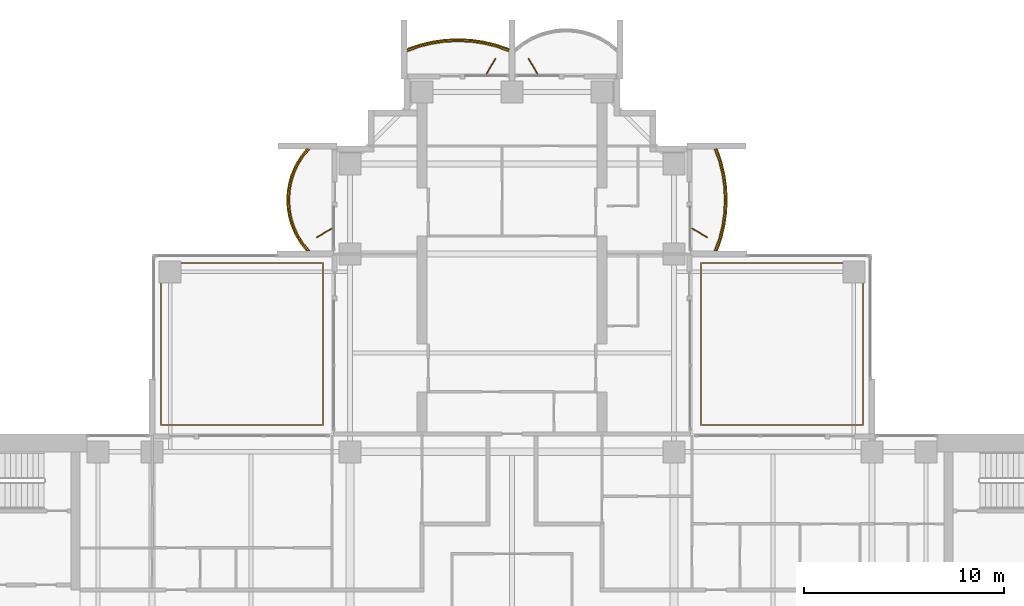
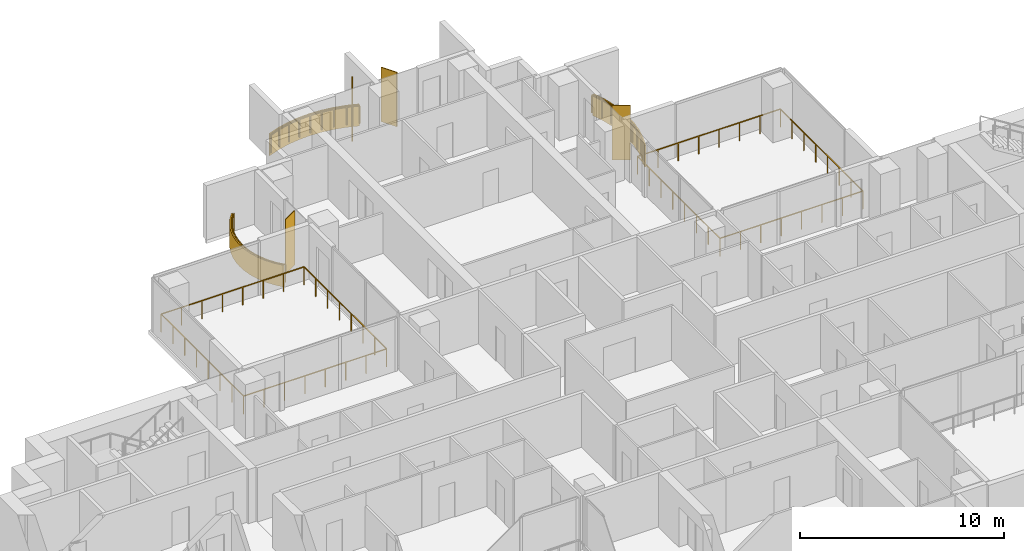
# One storey, part 18 of 19: 5 railings, 4 shading devices, 3 coverings.
"""IFC4 building model written with IfcOpenShell, lengths in metres."""

from ifc_helpers import new_model, si_unit, direction, frame, origin, origin_2d, place, context, subcontext, project, spatial, polyline, rectangle, outline, extrude, material, layer, layer_set, type_object, element, save


model = new_model("IFC4")

# Units and contexts
model_context = context("Model", 3, precision=1e-05, world=origin(), true_north=direction((0.0, 1.0)))
body_context = subcontext(model_context, "Body", "Model", "MODEL_VIEW")
ifc_project = project(units=[si_unit("LENGTHUNIT", "METRE"), si_unit("AREAUNIT", "SQUARE_METRE"), si_unit("VOLUMEUNIT", "CUBIC_METRE"), si_unit("PLANEANGLEUNIT", "RADIAN"), si_unit("MASSUNIT", "GRAM", prefix="KILO")], contexts=[model_context])

# Site, building, storey
site_placement = place(None, origin())
site = spatial("IfcSite", under=ifc_project, at=site_placement, CompositionType="ELEMENT")
building_placement = place(site_placement, origin())
building = spatial("IfcBuilding", under=site, at=building_placement, Name="Perihelion Cross Residences", CompositionType="ELEMENT")
storey_placement = place(building_placement, frame((0.0, 0.0, 112.89990234375)))
storey = spatial("IfcBuildingStorey", under=building, at=storey_placement, Name="L26", CompositionType="ELEMENT", Elevation=112.89990234375)

# Coverings
ifc_material_1 = material(Name="Bronze anodised aluminium", Category="aluminium")
ifc_layer_1 = layer(ifc_material_1, 0.070068359375)
ifc_layer_set_1 = layer_set([ifc_layer_1], Name="Balcony fascia 1300")
covering_type = type_object("IfcCoveringType", Name="Balcony fascia 1300", PredefinedType="CLADDING", material=ifc_layer_set_1)
covering_1_placement = place(storey_placement, frame((0.0, 0.0, -0.199951171875)))
element("IfcCovering", 1, at=covering_1_placement, inside=storey, type_object=covering_type, Name="Fascia BF1 L26 north side east bay 2", PredefinedType="CLADDING", context=body_context, shape_type="SweptSolid", body=[
    extrude(outline(polyline([(10.49072265625, 18.767578125), (10.647216796875, 19.411865234375), (10.739501953125, 20.055908203125), (10.77001953125, 20.699951171875), (10.739501953125, 21.34423828125), (10.647216796875, 21.98828125), (10.49072265625, 22.63232421875), (10.274169921875, 23.25), (10.199951171875, 23.25), (10.423583984375, 22.612548828125), (10.57861328125, 21.97509765625), (10.669921875, 21.33740234375), (10.699951171875, 20.699951171875), (10.669921875, 20.0625), (10.57861328125, 19.425048828125), (10.423583984375, 18.78759765625), (10.199951171875, 18.14990234375), (10.274169921875, 18.14990234375), (10.49072265625, 18.767578125)])), origin(), (0.0, 0.0, 1.0), 1.300048828125),
])
covering_2_placement = place(storey_placement, frame((0.0, 0.0, -0.199951171875)))
element("IfcCovering", 2, at=covering_2_placement, inside=storey, type_object=covering_type, Name="Fascia BF1 L26 north tip north bay 2", PredefinedType="CLADDING", context=body_context, shape_type="SweptSolid", body=[
    extrude(outline(polyline([(-0.767578125, 28.49072265625), (-1.411865234375, 28.647216796875), (-2.055908203125, 28.739501953125), (-2.699951171875, 28.77001953125), (-3.34423828125, 28.739501953125), (-3.98828125, 28.647216796875), (-4.63232421875, 28.49072265625), (-5.25, 28.274169921875), (-5.25, 28.199951171875), (-4.612548828125, 28.423583984375), (-3.97509765625, 28.57861328125), (-3.33740234375, 28.669921875), (-2.699951171875, 28.699951171875), (-2.0625, 28.669921875), (-1.425048828125, 28.57861328125), (-0.78759765625, 28.423583984375), (-0.14990234375, 28.199951171875), (-0.14990234375, 28.274169921875), (-0.767578125, 28.49072265625)])), origin(), (0.0, 0.0, 1.0), 1.300048828125),
])
covering_3_placement = place(storey_placement, frame((0.0, 0.0, -0.199951171875)))
element("IfcCovering", 3, at=covering_3_placement, inside=storey, type_object=covering_type, Name="Fascia BF1 L26 north side west bay 1", PredefinedType="CLADDING", context=body_context, shape_type="SweptSolid", body=[
    extrude(outline(polyline([(-10.59765625, 22.86474609375), (-10.85498046875, 22.431884765625), (-11.04248046875, 21.998779296875), (-11.170654296875, 21.56591796875), (-11.245361328125, 21.133056640625), (-11.27001953125, 20.699951171875), (-11.245361328125, 20.26708984375), (-11.170654296875, 19.833984375), (-11.04248046875, 19.401123046875), (-10.85498046875, 18.96826171875), (-10.59765625, 18.53515625), (-10.28955078125, 18.14990234375), (-10.199951171875, 18.14990234375), (-10.5400390625, 18.574951171875), (-10.792724609375, 19.0), (-10.9765625, 19.425048828125), (-11.1025390625, 19.85009765625), (-11.17578125, 20.27490234375), (-11.199951171875, 20.699951171875), (-11.17578125, 21.125), (-11.1025390625, 21.550048828125), (-10.9765625, 21.97509765625), (-10.792724609375, 22.39990234375), (-10.5400390625, 22.824951171875), (-10.199951171875, 23.25), (-10.28955078125, 23.25), (-10.59765625, 22.86474609375)])), origin(), (0.0, 0.0, 1.0), 1.300048828125),
])

# Railings
ifc_material_2 = material(Name="Bronze anodised aluminium", Category="aluminium")
railing_type = type_object("IfcRailingType", Name="Balcony guard 1100", PredefinedType="GUARDRAIL", material=ifc_material_2)
railing_1_placement = place(storey_placement, frame((10.139892578125, 18.175048828125, 0.0)))
element("IfcRailing", 4, at=railing_1_placement, inside=storey, type_object=railing_type, Name="Guard GU1 L26 north side east bay 2 balcony", PredefinedType="GUARDRAIL", context=body_context, shape_type="SweptSolid", body=[
    extrude(rectangle(XDim=0.048095703125, YDim=0.048095703125, at=origin_2d()), frame((0.0, 0.0, 1.076171875), z_axis=(0.342945217749, 0.939355405384, 0.0), x_axis=(-0.939355405384, 0.342945217749, 0.0)), (0.0, 0.0, 1.0), 0.652099609375),
    extrude(rectangle(XDim=0.048095703125, YDim=0.048095703125, at=origin_2d()), frame((0.2236328125, 0.612548828125, 1.076171875), z_axis=(0.236313594268, 0.971676841941, 0.0), x_axis=(-0.971676841941, 0.236313594268, 0.0)), (0.0, 0.0, 1.0), 0.656005859375),
    extrude(rectangle(XDim=0.048095703125, YDim=0.048095703125, at=origin_2d()), frame((0.378662109375, 1.25, 1.076171875), z_axis=(0.141792889142, 0.989896346386, 0.0), x_axis=(-0.989896346386, 0.141792889142, 0.0)), (0.0, 0.0, 1.0), 0.64404296875),
    extrude(rectangle(XDim=0.048095703125, YDim=0.048095703125, at=origin_2d()), frame((0.469970703125, 1.887451171875, 1.076171875), z_axis=(0.04705620296, 0.998892243319, 0.0), x_axis=(-0.998892243319, 0.04705620296, 0.0)), (0.0, 0.0, 1.0), 0.63818359375),
    extrude(rectangle(XDim=0.048095703125, YDim=0.048095703125, at=origin_2d()), frame((0.5, 2.52490234375, 1.076171875), z_axis=(-0.04705620296, 0.998892243319, 0.0), x_axis=(-0.998892243319, -0.04705620296, 0.0)), (0.0, 0.0, 1.0), 0.63818359375),
    extrude(rectangle(XDim=0.048095703125, YDim=0.048095703125, at=origin_2d()), frame((0.469970703125, 3.162353515625, 1.076171875), z_axis=(-0.141739694763, 0.989903964498, 0.0), x_axis=(-0.989903964498, -0.141739694763, 0.0)), (0.0, 0.0, 1.0), 0.644287109375),
    extrude(rectangle(XDim=0.048095703125, YDim=0.048095703125, at=origin_2d()), frame((0.378662109375, 3.800048828125, 1.076171875), z_axis=(-0.236313594268, 0.971676841941, 0.0), x_axis=(-0.971676841941, -0.236313594268, 0.0)), (0.0, 0.0, 1.0), 0.656005859375),
    extrude(rectangle(XDim=0.048095703125, YDim=0.048095703125, at=origin_2d()), frame((0.2236328125, 4.4375, 1.076171875), z_axis=(-0.342945217749, 0.939355405384, 0.0), x_axis=(-0.939355405384, -0.342945217749, 0.0)), (0.0, 0.0, 1.0), 0.652099609375),
    extrude(rectangle(XDim=0.0419921875, YDim=0.0419921875, at=origin_2d()), origin(), (0.0, 0.0, 1.0), 1.052001953125),
    extrude(rectangle(XDim=0.0419921875, YDim=0.0419921875, at=origin_2d()), frame((0.2236328125, 0.612548828125, 0.0)), (0.0, 0.0, 1.0), 1.052001953125),
    extrude(rectangle(XDim=0.0419921875, YDim=0.0419921875, at=origin_2d()), frame((0.378662109375, 1.25, 0.0)), (0.0, 0.0, 1.0), 1.052001953125),
    extrude(rectangle(XDim=0.0419921875, YDim=0.0419921875, at=origin_2d()), frame((0.469970703125, 1.887451171875, 0.0)), (0.0, 0.0, 1.0), 1.052001953125),
    extrude(rectangle(XDim=0.0419921875, YDim=0.0419921875, at=origin_2d()), frame((0.5, 2.52490234375, 0.0)), (0.0, 0.0, 1.0), 1.052001953125),
    extrude(rectangle(XDim=0.0419921875, YDim=0.0419921875, at=origin_2d()), frame((0.469970703125, 3.162353515625, 0.0)), (0.0, 0.0, 1.0), 1.052001953125),
    extrude(rectangle(XDim=0.0419921875, YDim=0.0419921875, at=origin_2d()), frame((0.378662109375, 3.800048828125, 0.0)), (0.0, 0.0, 1.0), 1.052001953125),
    extrude(rectangle(XDim=0.0419921875, YDim=0.0419921875, at=origin_2d()), frame((0.2236328125, 4.4375, 0.0)), (0.0, 0.0, 1.0), 1.052001953125),
    extrude(rectangle(XDim=0.0419921875, YDim=0.0419921875, at=origin_2d()), frame((0.0, 5.050048828125, 0.0)), (0.0, 0.0, 1.0), 1.052001953125),
])
railing_2_placement = place(storey_placement, frame((-0.175048828125, 28.139892578125, 0.0)))
element("IfcRailing", 5, at=railing_2_placement, inside=storey, type_object=railing_type, Name="Guard GU1 L26 north tip north bay 2 balcony", PredefinedType="GUARDRAIL", context=body_context, shape_type="SweptSolid", body=[
    extrude(rectangle(XDim=0.048095703125, YDim=0.048095703125, at=origin_2d()), frame((0.0, 0.0, 1.076171875), z_axis=(-0.939355405384, 0.342945217749, 0.0), x_axis=(-0.342945217749, -0.939355405384, 0.0)), (0.0, 0.0, 1.0), 0.652099609375),
    extrude(rectangle(XDim=0.048095703125, YDim=0.048095703125, at=origin_2d()), frame((-0.612548828125, 0.2236328125, 1.076171875), z_axis=(-0.971676841941, 0.236313594268, 0.0), x_axis=(-0.236313594268, -0.971676841941, 0.0)), (0.0, 0.0, 1.0), 0.656005859375),
    extrude(rectangle(XDim=0.048095703125, YDim=0.048095703125, at=origin_2d()), frame((-1.25, 0.378662109375, 1.076171875), z_axis=(-0.989896346386, 0.141792889142, 0.0), x_axis=(-0.141792889142, -0.989896346386, 0.0)), (0.0, 0.0, 1.0), 0.64404296875),
    extrude(rectangle(XDim=0.048095703125, YDim=0.048095703125, at=origin_2d()), frame((-1.887451171875, 0.469970703125, 1.076171875), z_axis=(-0.998892243319, 0.04705620296, 0.0), x_axis=(-0.04705620296, -0.998892243319, 0.0)), (0.0, 0.0, 1.0), 0.63818359375),
    extrude(rectangle(XDim=0.048095703125, YDim=0.048095703125, at=origin_2d()), frame((-2.52490234375, 0.5, 1.076171875), z_axis=(-0.998892243319, -0.04705620296, 0.0), x_axis=(0.04705620296, -0.998892243319, 0.0)), (0.0, 0.0, 1.0), 0.63818359375),
    extrude(rectangle(XDim=0.048095703125, YDim=0.048095703125, at=origin_2d()), frame((-3.162353515625, 0.469970703125, 1.076171875), z_axis=(-0.989903964498, -0.141739694763, 0.0), x_axis=(0.141739694763, -0.989903964498, 0.0)), (0.0, 0.0, 1.0), 0.644287109375),
    extrude(rectangle(XDim=0.048095703125, YDim=0.048095703125, at=origin_2d()), frame((-3.800048828125, 0.378662109375, 1.076171875), z_axis=(-0.971676841941, -0.236313594268, 0.0), x_axis=(0.236313594268, -0.971676841941, 0.0)), (0.0, 0.0, 1.0), 0.656005859375),
    extrude(rectangle(XDim=0.048095703125, YDim=0.048095703125, at=origin_2d()), frame((-4.4375, 0.2236328125, 1.076171875), z_axis=(-0.939355405384, -0.342945217749, 0.0), x_axis=(0.342945217749, -0.939355405384, 0.0)), (0.0, 0.0, 1.0), 0.652099609375),
    extrude(rectangle(XDim=0.0419921875, YDim=0.0419921875, at=origin_2d()), origin(), (0.0, 0.0, 1.0), 1.052001953125),
    extrude(rectangle(XDim=0.0419921875, YDim=0.0419921875, at=origin_2d()), frame((-0.612548828125, 0.2236328125, 0.0)), (0.0, 0.0, 1.0), 1.052001953125),
    extrude(rectangle(XDim=0.0419921875, YDim=0.0419921875, at=origin_2d()), frame((-1.25, 0.378662109375, 0.0)), (0.0, 0.0, 1.0), 1.052001953125),
    extrude(rectangle(XDim=0.0419921875, YDim=0.0419921875, at=origin_2d()), frame((-1.887451171875, 0.469970703125, 0.0)), (0.0, 0.0, 1.0), 1.052001953125),
    extrude(rectangle(XDim=0.0419921875, YDim=0.0419921875, at=origin_2d()), frame((-2.52490234375, 0.5, 0.0)), (0.0, 0.0, 1.0), 1.052001953125),
    extrude(rectangle(XDim=0.0419921875, YDim=0.0419921875, at=origin_2d()), frame((-3.162353515625, 0.469970703125, 0.0)), (0.0, 0.0, 1.0), 1.052001953125),
    extrude(rectangle(XDim=0.0419921875, YDim=0.0419921875, at=origin_2d()), frame((-3.800048828125, 0.378662109375, 0.0)), (0.0, 0.0, 1.0), 1.052001953125),
    extrude(rectangle(XDim=0.0419921875, YDim=0.0419921875, at=origin_2d()), frame((-4.4375, 0.2236328125, 0.0)), (0.0, 0.0, 1.0), 1.052001953125),
    extrude(rectangle(XDim=0.0419921875, YDim=0.0419921875, at=origin_2d()), frame((-5.050048828125, 0.0, 0.0)), (0.0, 0.0, 1.0), 1.052001953125),
])
railing_3_placement = place(storey_placement, frame((-10.139892578125, 23.22509765625, 0.0)))
element("IfcRailing", 6, at=railing_3_placement, inside=storey, type_object=railing_type, Name="Guard GU1 L26 north side west bay 1 balcony", PredefinedType="GUARDRAIL", context=body_context, shape_type="SweptSolid", body=[
    extrude(rectangle(XDim=0.048095703125, YDim=0.048095703125, at=origin_2d()), frame((0.0, 0.0, 1.076171875), z_axis=(-0.647607934281, -0.761973728849, 0.0), x_axis=(0.761973728849, -0.647607934281, 0.0)), (0.0, 0.0, 1.0), 0.525146484375),
    extrude(rectangle(XDim=0.048095703125, YDim=0.048095703125, at=origin_2d()), frame((-0.340087890625, -0.400146484375, 1.076171875), z_axis=(-0.511006381501, -0.859576918062, 0.0), x_axis=(0.859576918062, -0.511006381501, 0.0)), (0.0, 0.0, 1.0), 0.494384765625),
    extrude(rectangle(XDim=0.048095703125, YDim=0.048095703125, at=origin_2d()), frame((-0.5927734375, -0.8251953125, 1.076171875), z_axis=(-0.397607437634, -0.91755562531, 0.0), x_axis=(0.91755562531, -0.397607437634, 0.0)), (0.0, 0.0, 1.0), 0.462890625),
    extrude(rectangle(XDim=0.048095703125, YDim=0.048095703125, at=origin_2d()), frame((-0.77685546875, -1.25, 1.076171875), z_axis=(-0.283656975924, -0.958925815697, 0.0), x_axis=(0.958925815697, -0.283656975924, 0.0)), (0.0, 0.0, 1.0), 0.443359375),
    extrude(rectangle(XDim=0.048095703125, YDim=0.048095703125, at=origin_2d()), frame((-0.902587890625, -1.675048828125, 1.076171875), z_axis=(-0.17036177859, -0.985381583142, 0.0), x_axis=(0.985381583142, -0.17036177859, 0.0)), (0.0, 0.0, 1.0), 0.431396484375),
    extrude(rectangle(XDim=0.048095703125, YDim=0.048095703125, at=origin_2d()), frame((-0.97607421875, -2.10009765625, 1.076171875), z_axis=(-0.056200523353, -0.9984195016, 0.0), x_axis=(0.9984195016, -0.056200523353, 0.0)), (0.0, 0.0, 1.0), 0.42578125),
    extrude(rectangle(XDim=0.048095703125, YDim=0.048095703125, at=origin_2d()), frame((-1.0, -2.525146484375, 1.076171875), z_axis=(0.056200523353, -0.9984195016, 0.0), x_axis=(0.9984195016, 0.056200523353, 0.0)), (0.0, 0.0, 1.0), 0.42578125),
    extrude(rectangle(XDim=0.048095703125, YDim=0.048095703125, at=origin_2d()), frame((-0.97607421875, -2.9501953125, 1.076171875), z_axis=(0.170456843651, -0.985365142702, 0.0), x_axis=(0.985365142702, 0.170456843651, 0.0)), (0.0, 0.0, 1.0), 0.43115234375),
    extrude(rectangle(XDim=0.048095703125, YDim=0.048095703125, at=origin_2d()), frame((-0.902587890625, -3.375, 1.076171875), z_axis=(0.283656975924, -0.958925815697, 0.0), x_axis=(0.958925815697, 0.283656975924, 0.0)), (0.0, 0.0, 1.0), 0.443359375),
    extrude(rectangle(XDim=0.048095703125, YDim=0.048095703125, at=origin_2d()), frame((-0.77685546875, -3.800048828125, 1.076171875), z_axis=(0.397415137459, -0.917638931453, 0.0), x_axis=(0.917638931453, 0.397415137459, 0.0)), (0.0, 0.0, 1.0), 0.463134765625),
    extrude(rectangle(XDim=0.048095703125, YDim=0.048095703125, at=origin_2d()), frame((-0.5927734375, -4.22509765625, 1.076171875), z_axis=(0.511006381501, -0.859576918062, 0.0), x_axis=(0.859576918062, 0.511006381501, 0.0)), (0.0, 0.0, 1.0), 0.494384765625),
    extrude(rectangle(XDim=0.048095703125, YDim=0.048095703125, at=origin_2d()), frame((-0.340087890625, -4.650146484375, 1.076171875), z_axis=(0.647837396648, -0.761778647315, 0.0), x_axis=(0.761778647315, 0.647837396648, 0.0)), (0.0, 0.0, 1.0), 0.52490234375),
    extrude(rectangle(XDim=0.0419921875, YDim=0.0419921875, at=origin_2d()), origin(), (0.0, 0.0, 1.0), 1.052001953125),
    extrude(rectangle(XDim=0.0419921875, YDim=0.0419921875, at=origin_2d()), frame((-0.340087890625, -0.400146484375, 0.0)), (0.0, 0.0, 1.0), 1.052001953125),
    extrude(rectangle(XDim=0.0419921875, YDim=0.0419921875, at=origin_2d()), frame((-0.5927734375, -0.8251953125, 0.0)), (0.0, 0.0, 1.0), 1.052001953125),
    extrude(rectangle(XDim=0.0419921875, YDim=0.0419921875, at=origin_2d()), frame((-0.77685546875, -1.25, 0.0)), (0.0, 0.0, 1.0), 1.052001953125),
    extrude(rectangle(XDim=0.0419921875, YDim=0.0419921875, at=origin_2d()), frame((-0.902587890625, -1.675048828125, 0.0)), (0.0, 0.0, 1.0), 1.052001953125),
    extrude(rectangle(XDim=0.0419921875, YDim=0.0419921875, at=origin_2d()), frame((-0.97607421875, -2.10009765625, 0.0)), (0.0, 0.0, 1.0), 1.052001953125),
    extrude(rectangle(XDim=0.0419921875, YDim=0.0419921875, at=origin_2d()), frame((-1.0, -2.525146484375, 0.0)), (0.0, 0.0, 1.0), 1.052001953125),
    extrude(rectangle(XDim=0.0419921875, YDim=0.0419921875, at=origin_2d()), frame((-0.97607421875, -2.9501953125, 0.0)), (0.0, 0.0, 1.0), 1.052001953125),
    extrude(rectangle(XDim=0.0419921875, YDim=0.0419921875, at=origin_2d()), frame((-0.902587890625, -3.375, 0.0)), (0.0, 0.0, 1.0), 1.052001953125),
    extrude(rectangle(XDim=0.0419921875, YDim=0.0419921875, at=origin_2d()), frame((-0.77685546875, -3.800048828125, 0.0)), (0.0, 0.0, 1.0), 1.052001953125),
    extrude(rectangle(XDim=0.0419921875, YDim=0.0419921875, at=origin_2d()), frame((-0.5927734375, -4.22509765625, 0.0)), (0.0, 0.0, 1.0), 1.052001953125),
    extrude(rectangle(XDim=0.0419921875, YDim=0.0419921875, at=origin_2d()), frame((-0.340087890625, -4.650146484375, 0.0)), (0.0, 0.0, 1.0), 1.052001953125),
    extrude(rectangle(XDim=0.0419921875, YDim=0.0419921875, at=origin_2d()), frame((0.0, -5.050048828125, 0.0)), (0.0, 0.0, 1.0), 1.052001953125),
])
railing_4_placement = place(storey_placement, frame((17.550048828125, 9.449951171875, 0.0)))
element("IfcRailing", 7, at=railing_4_placement, inside=storey, type_object=railing_type, Name="Guard GU1 L26 pocket north-east 1", PredefinedType="GUARDRAIL", context=body_context, shape_type="SweptSolid", body=[
    extrude(rectangle(XDim=0.048095703125, YDim=0.048095703125, at=origin_2d()), frame((0.0, 0.0, 1.076171875), z_axis=(-1.0, 0.0, 0.0), x_axis=(0.0, -1.0, 0.0)), (0.0, 0.0, 1.0), 8.10009765625),
    extrude(rectangle(XDim=0.048095703125, YDim=0.048095703125, at=origin_2d()), frame((-8.10009765625, 0.0, 1.076171875), z_axis=(0.0, 1.0, 0.0), x_axis=(-1.0, 0.0, 0.0)), (0.0, 0.0, 1.0), 8.10009765625),
    extrude(rectangle(XDim=0.048095703125, YDim=0.048095703125, at=origin_2d()), frame((-8.10009765625, 8.10009765625, 1.076171875), z_axis=(1.0, 0.0, 0.0), x_axis=(0.0, 1.0, 0.0)), (0.0, 0.0, 1.0), 8.10009765625),
    extrude(rectangle(XDim=0.048095703125, YDim=0.048095703125, at=origin_2d()), frame((0.0, 8.10009765625, 1.076171875), z_axis=(0.0, -1.0, 0.0), x_axis=(1.0, 0.0, 0.0)), (0.0, 0.0, 1.0), 8.10009765625),
    extrude(rectangle(XDim=0.0419921875, YDim=0.0419921875, at=origin_2d()), origin(), (0.0, 0.0, 1.0), 1.052001953125),
    extrude(rectangle(XDim=0.0419921875, YDim=0.0419921875, at=origin_2d()), frame((-1.1572265625, 0.0, 0.0)), (0.0, 0.0, 1.0), 1.052001953125),
    extrude(rectangle(XDim=0.0419921875, YDim=0.0419921875, at=origin_2d()), frame((-2.314208984375, 0.0, 0.0)), (0.0, 0.0, 1.0), 1.052001953125),
    extrude(rectangle(XDim=0.0419921875, YDim=0.0419921875, at=origin_2d()), frame((-3.471435546875, 0.0, 0.0)), (0.0, 0.0, 1.0), 1.052001953125),
    extrude(rectangle(XDim=0.0419921875, YDim=0.0419921875, at=origin_2d()), frame((-4.628662109375, 0.0, 0.0)), (0.0, 0.0, 1.0), 1.052001953125),
    extrude(rectangle(XDim=0.0419921875, YDim=0.0419921875, at=origin_2d()), frame((-5.785888671875, 0.0, 0.0)), (0.0, 0.0, 1.0), 1.052001953125),
    extrude(rectangle(XDim=0.0419921875, YDim=0.0419921875, at=origin_2d()), frame((-6.94287109375, 0.0, 0.0)), (0.0, 0.0, 1.0), 1.052001953125),
    extrude(rectangle(XDim=0.0419921875, YDim=0.0419921875, at=origin_2d()), frame((-8.10009765625, 0.0, 0.0)), (0.0, 0.0, 1.0), 1.052001953125),
    extrude(rectangle(XDim=0.0419921875, YDim=0.0419921875, at=origin_2d()), frame((-8.10009765625, 1.1572265625, 0.0)), (0.0, 0.0, 1.0), 1.052001953125),
    extrude(rectangle(XDim=0.0419921875, YDim=0.0419921875, at=origin_2d()), frame((-8.10009765625, 2.314208984375, 0.0)), (0.0, 0.0, 1.0), 1.052001953125),
    extrude(rectangle(XDim=0.0419921875, YDim=0.0419921875, at=origin_2d()), frame((-8.10009765625, 3.471435546875, 0.0)), (0.0, 0.0, 1.0), 1.052001953125),
    extrude(rectangle(XDim=0.0419921875, YDim=0.0419921875, at=origin_2d()), frame((-8.10009765625, 4.628662109375, 0.0)), (0.0, 0.0, 1.0), 1.052001953125),
    extrude(rectangle(XDim=0.0419921875, YDim=0.0419921875, at=origin_2d()), frame((-8.10009765625, 5.785888671875, 0.0)), (0.0, 0.0, 1.0), 1.052001953125),
    extrude(rectangle(XDim=0.0419921875, YDim=0.0419921875, at=origin_2d()), frame((-8.10009765625, 6.94287109375, 0.0)), (0.0, 0.0, 1.0), 1.052001953125),
    extrude(rectangle(XDim=0.0419921875, YDim=0.0419921875, at=origin_2d()), frame((-8.10009765625, 8.10009765625, 0.0)), (0.0, 0.0, 1.0), 1.052001953125),
    extrude(rectangle(XDim=0.0419921875, YDim=0.0419921875, at=origin_2d()), frame((-6.94287109375, 8.10009765625, 0.0)), (0.0, 0.0, 1.0), 1.052001953125),
    extrude(rectangle(XDim=0.0419921875, YDim=0.0419921875, at=origin_2d()), frame((-5.785888671875, 8.10009765625, 0.0)), (0.0, 0.0, 1.0), 1.052001953125),
    extrude(rectangle(XDim=0.0419921875, YDim=0.0419921875, at=origin_2d()), frame((-4.628662109375, 8.10009765625, 0.0)), (0.0, 0.0, 1.0), 1.052001953125),
    extrude(rectangle(XDim=0.0419921875, YDim=0.0419921875, at=origin_2d()), frame((-3.471435546875, 8.10009765625, 0.0)), (0.0, 0.0, 1.0), 1.052001953125),
    extrude(rectangle(XDim=0.0419921875, YDim=0.0419921875, at=origin_2d()), frame((-2.314208984375, 8.10009765625, 0.0)), (0.0, 0.0, 1.0), 1.052001953125),
    extrude(rectangle(XDim=0.0419921875, YDim=0.0419921875, at=origin_2d()), frame((-1.1572265625, 8.10009765625, 0.0)), (0.0, 0.0, 1.0), 1.052001953125),
    extrude(rectangle(XDim=0.0419921875, YDim=0.0419921875, at=origin_2d()), frame((0.0, 8.10009765625, 0.0)), (0.0, 0.0, 1.0), 1.052001953125),
    extrude(rectangle(XDim=0.0419921875, YDim=0.0419921875, at=origin_2d()), frame((0.0, 6.94287109375, 0.0)), (0.0, 0.0, 1.0), 1.052001953125),
    extrude(rectangle(XDim=0.0419921875, YDim=0.0419921875, at=origin_2d()), frame((0.0, 5.785888671875, 0.0)), (0.0, 0.0, 1.0), 1.052001953125),
    extrude(rectangle(XDim=0.0419921875, YDim=0.0419921875, at=origin_2d()), frame((0.0, 4.628662109375, 0.0)), (0.0, 0.0, 1.0), 1.052001953125),
    extrude(rectangle(XDim=0.0419921875, YDim=0.0419921875, at=origin_2d()), frame((0.0, 3.471435546875, 0.0)), (0.0, 0.0, 1.0), 1.052001953125),
    extrude(rectangle(XDim=0.0419921875, YDim=0.0419921875, at=origin_2d()), frame((0.0, 2.314208984375, 0.0)), (0.0, 0.0, 1.0), 1.052001953125),
    extrude(rectangle(XDim=0.0419921875, YDim=0.0419921875, at=origin_2d()), frame((0.0, 1.1572265625, 0.0)), (0.0, 0.0, 1.0), 1.052001953125),
])
railing_5_placement = place(storey_placement, frame((-9.449951171875, 9.449951171875, 0.0)))
element("IfcRailing", 8, at=railing_5_placement, inside=storey, type_object=railing_type, Name="Guard GU1 L26 pocket north-west 1", PredefinedType="GUARDRAIL", context=body_context, shape_type="SweptSolid", body=[
    extrude(rectangle(XDim=0.048095703125, YDim=0.048095703125, at=origin_2d()), frame((0.0, 0.0, 1.076171875), z_axis=(-1.0, 0.0, 0.0), x_axis=(0.0, -1.0, 0.0)), (0.0, 0.0, 1.0), 8.10009765625),
    extrude(rectangle(XDim=0.048095703125, YDim=0.048095703125, at=origin_2d()), frame((-8.10009765625, 0.0, 1.076171875), z_axis=(0.0, 1.0, 0.0), x_axis=(-1.0, 0.0, 0.0)), (0.0, 0.0, 1.0), 8.10009765625),
    extrude(rectangle(XDim=0.048095703125, YDim=0.048095703125, at=origin_2d()), frame((-8.10009765625, 8.10009765625, 1.076171875), z_axis=(1.0, 0.0, 0.0), x_axis=(0.0, 1.0, 0.0)), (0.0, 0.0, 1.0), 8.10009765625),
    extrude(rectangle(XDim=0.048095703125, YDim=0.048095703125, at=origin_2d()), frame((0.0, 8.10009765625, 1.076171875), z_axis=(0.0, -1.0, 0.0), x_axis=(1.0, 0.0, 0.0)), (0.0, 0.0, 1.0), 8.10009765625),
    extrude(rectangle(XDim=0.0419921875, YDim=0.0419921875, at=origin_2d()), origin(), (0.0, 0.0, 1.0), 1.052001953125),
    extrude(rectangle(XDim=0.0419921875, YDim=0.0419921875, at=origin_2d()), frame((-1.1572265625, 0.0, 0.0)), (0.0, 0.0, 1.0), 1.052001953125),
    extrude(rectangle(XDim=0.0419921875, YDim=0.0419921875, at=origin_2d()), frame((-2.314208984375, 0.0, 0.0)), (0.0, 0.0, 1.0), 1.052001953125),
    extrude(rectangle(XDim=0.0419921875, YDim=0.0419921875, at=origin_2d()), frame((-3.471435546875, 0.0, 0.0)), (0.0, 0.0, 1.0), 1.052001953125),
    extrude(rectangle(XDim=0.0419921875, YDim=0.0419921875, at=origin_2d()), frame((-4.628662109375, 0.0, 0.0)), (0.0, 0.0, 1.0), 1.052001953125),
    extrude(rectangle(XDim=0.0419921875, YDim=0.0419921875, at=origin_2d()), frame((-5.785888671875, 0.0, 0.0)), (0.0, 0.0, 1.0), 1.052001953125),
    extrude(rectangle(XDim=0.0419921875, YDim=0.0419921875, at=origin_2d()), frame((-6.94287109375, 0.0, 0.0)), (0.0, 0.0, 1.0), 1.052001953125),
    extrude(rectangle(XDim=0.0419921875, YDim=0.0419921875, at=origin_2d()), frame((-8.10009765625, 0.0, 0.0)), (0.0, 0.0, 1.0), 1.052001953125),
    extrude(rectangle(XDim=0.0419921875, YDim=0.0419921875, at=origin_2d()), frame((-8.10009765625, 1.1572265625, 0.0)), (0.0, 0.0, 1.0), 1.052001953125),
    extrude(rectangle(XDim=0.0419921875, YDim=0.0419921875, at=origin_2d()), frame((-8.10009765625, 2.314208984375, 0.0)), (0.0, 0.0, 1.0), 1.052001953125),
    extrude(rectangle(XDim=0.0419921875, YDim=0.0419921875, at=origin_2d()), frame((-8.10009765625, 3.471435546875, 0.0)), (0.0, 0.0, 1.0), 1.052001953125),
    extrude(rectangle(XDim=0.0419921875, YDim=0.0419921875, at=origin_2d()), frame((-8.10009765625, 4.628662109375, 0.0)), (0.0, 0.0, 1.0), 1.052001953125),
    extrude(rectangle(XDim=0.0419921875, YDim=0.0419921875, at=origin_2d()), frame((-8.10009765625, 5.785888671875, 0.0)), (0.0, 0.0, 1.0), 1.052001953125),
    extrude(rectangle(XDim=0.0419921875, YDim=0.0419921875, at=origin_2d()), frame((-8.10009765625, 6.94287109375, 0.0)), (0.0, 0.0, 1.0), 1.052001953125),
    extrude(rectangle(XDim=0.0419921875, YDim=0.0419921875, at=origin_2d()), frame((-8.10009765625, 8.10009765625, 0.0)), (0.0, 0.0, 1.0), 1.052001953125),
    extrude(rectangle(XDim=0.0419921875, YDim=0.0419921875, at=origin_2d()), frame((-6.94287109375, 8.10009765625, 0.0)), (0.0, 0.0, 1.0), 1.052001953125),
    extrude(rectangle(XDim=0.0419921875, YDim=0.0419921875, at=origin_2d()), frame((-5.785888671875, 8.10009765625, 0.0)), (0.0, 0.0, 1.0), 1.052001953125),
    extrude(rectangle(XDim=0.0419921875, YDim=0.0419921875, at=origin_2d()), frame((-4.628662109375, 8.10009765625, 0.0)), (0.0, 0.0, 1.0), 1.052001953125),
    extrude(rectangle(XDim=0.0419921875, YDim=0.0419921875, at=origin_2d()), frame((-3.471435546875, 8.10009765625, 0.0)), (0.0, 0.0, 1.0), 1.052001953125),
    extrude(rectangle(XDim=0.0419921875, YDim=0.0419921875, at=origin_2d()), frame((-2.314208984375, 8.10009765625, 0.0)), (0.0, 0.0, 1.0), 1.052001953125),
    extrude(rectangle(XDim=0.0419921875, YDim=0.0419921875, at=origin_2d()), frame((-1.1572265625, 8.10009765625, 0.0)), (0.0, 0.0, 1.0), 1.052001953125),
    extrude(rectangle(XDim=0.0419921875, YDim=0.0419921875, at=origin_2d()), frame((0.0, 8.10009765625, 0.0)), (0.0, 0.0, 1.0), 1.052001953125),
    extrude(rectangle(XDim=0.0419921875, YDim=0.0419921875, at=origin_2d()), frame((0.0, 6.94287109375, 0.0)), (0.0, 0.0, 1.0), 1.052001953125),
    extrude(rectangle(XDim=0.0419921875, YDim=0.0419921875, at=origin_2d()), frame((0.0, 5.785888671875, 0.0)), (0.0, 0.0, 1.0), 1.052001953125),
    extrude(rectangle(XDim=0.0419921875, YDim=0.0419921875, at=origin_2d()), frame((0.0, 4.628662109375, 0.0)), (0.0, 0.0, 1.0), 1.052001953125),
    extrude(rectangle(XDim=0.0419921875, YDim=0.0419921875, at=origin_2d()), frame((0.0, 3.471435546875, 0.0)), (0.0, 0.0, 1.0), 1.052001953125),
    extrude(rectangle(XDim=0.0419921875, YDim=0.0419921875, at=origin_2d()), frame((0.0, 2.314208984375, 0.0)), (0.0, 0.0, 1.0), 1.052001953125),
    extrude(rectangle(XDim=0.0419921875, YDim=0.0419921875, at=origin_2d()), frame((0.0, 1.1572265625, 0.0)), (0.0, 0.0, 1.0), 1.052001953125),
])

# Shading devices
ifc_material_3 = material(Name="Bronze anodised aluminium", Category="aluminium")
ifc_layer_2 = layer(ifc_material_3, 0.050048828125)
ifc_layer_set_2 = layer_set([ifc_layer_2], Name="Bronze fin 900")
shading_device_type = type_object("IfcShadingDeviceType", Name="Bronze fin 900", PredefinedType="USERDEFINED", material=ifc_layer_set_2)
for number, where, z_axis, x_axis, name in (
    (9, (9.3896484375, 19.050048828125, 0.0), (0.0, 0.0, 1.0), (0.866025403784, -0.5, 0.0), "Fin FN1 L26 north side east bay 2"),
    (10, (1.050048828125, 27.3896484375, 0.0), (0.0, 0.0, 1.0), (-0.5, 0.866025403784, 0.0), "Fin FN1 L26 north tip north bay 1"),
    (11, (-1.050048828125, 27.3896484375, 0.0), (0.0, 0.0, 1.0), (0.5, 0.866025403784, 0.0), "Fin FN1 L26 north tip north bay 2"),
    (12, (-9.3896484375, 19.050048828125, 0.0), (0.0, 0.0, 1.0), (-0.866025403784, -0.5, 0.0), "Fin FN1 L26 north side west bay 1"),
):
    element("IfcShadingDevice", number, at=place(storey_placement, frame(where, z_axis=z_axis, x_axis=x_axis)), inside=storey, type_object=shading_device_type, Name=name, ObjectType="FIN", PredefinedType="USERDEFINED", context=body_context, shape_type="SweptSolid", body=[
        extrude(rectangle(XDim=0.89990234375, YDim=0.050048828125, at=origin_2d()), origin(), (0.0, 0.0, 1.0), 3.25),
    ])

save(model, "model.ifc")
